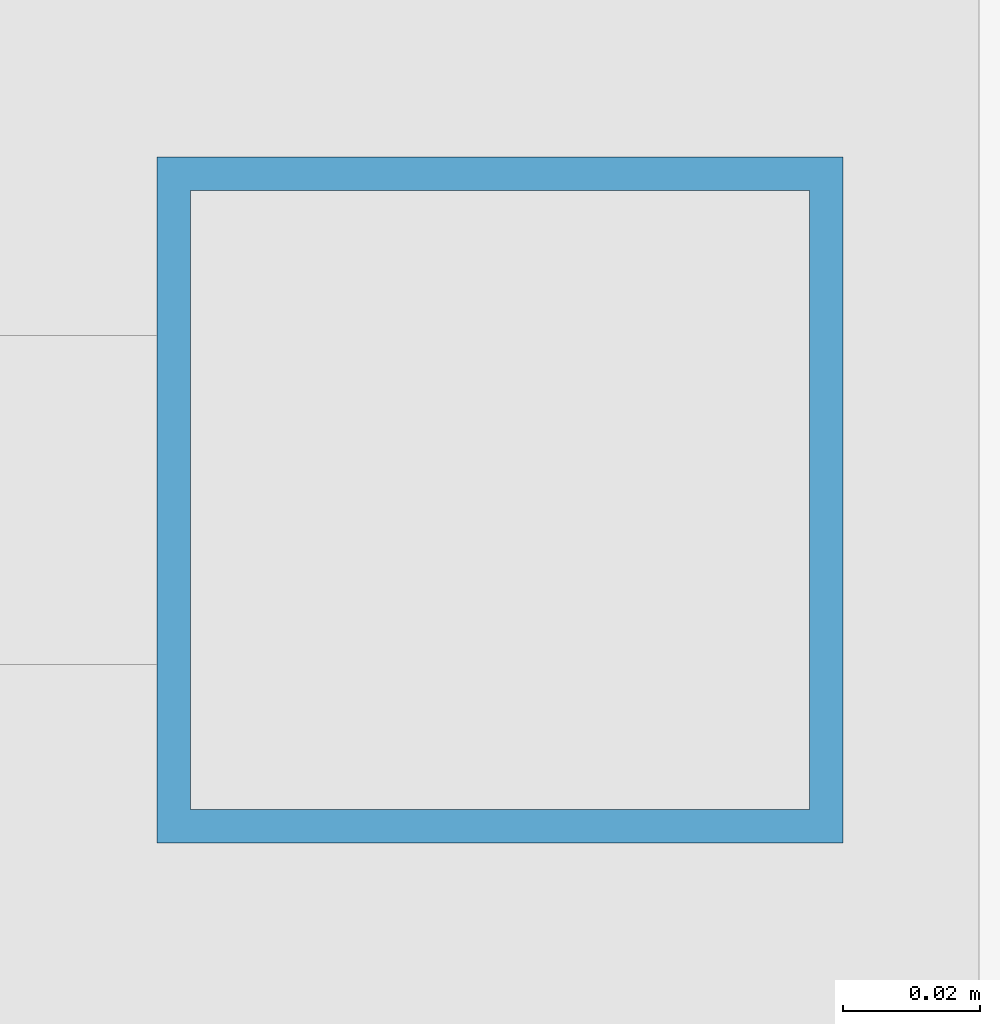
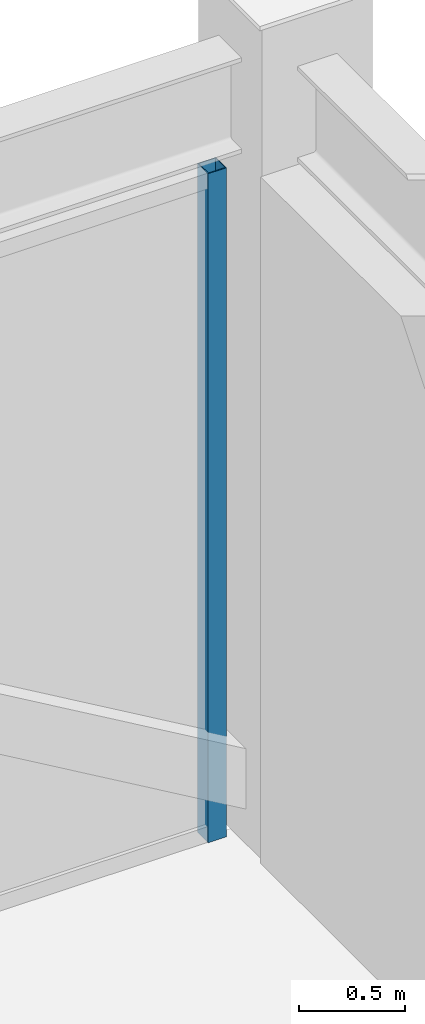
# One storey, part 22 of 27: 1 member, 1 element without a shape of its own.
"""IFC4 building model written with IfcOpenShell, lengths in metres."""

import ifcopenshell
import ifcopenshell.guid

model = None  # the IFC model being written
_history = None  # IfcOwnerHistory: only IFC2X3 demands one
_inside = {}  # id of a spatial element -> (the spatial element, [elements in it])
_under = {}  # id of a project, library or spatial element -> (it, [spatial elements below it])
_declared = {}  # id of a project -> (the project, [libraries it declares])
_typed = {}  # id of a type object -> (the type object, [elements of that type])
_made_of = {}  # id of a material, layer set ... -> (it, [elements and type objects made of it])


def new_model(schema):
    """Start an empty IFC model of exactly this schema.

    Asked for "IFC4X3", IfcOpenShell would pick the latest addendum, in which some entities
    have other attributes; the version numbers below select the first issue.
    IFC2X3 requires an IfcOwnerHistory on every rooted entity: one is made here for all.
    """
    global model, _history
    if schema == "IFC4X3":
        model = ifcopenshell.file(schema_version=(4, 3, 0, 0))
    else:
        model = ifcopenshell.file(schema=schema)
    _inside.clear()
    _under.clear()
    _declared.clear()
    _typed.clear()
    _made_of.clear()
    _history = None
    if model.schema == "IFC2X3":
        org = make("IfcOrganization", Name="unknown")
        user = make(
            "IfcPersonAndOrganization",
            ThePerson=make("IfcPerson", FamilyName="unknown"),
            TheOrganization=org,
        )
        app = make(
            "IfcApplication",
            ApplicationDeveloper=org,
            Version="unknown",
            ApplicationFullName="unknown",
            ApplicationIdentifier="unknown",
        )
        _history = make(
            "IfcOwnerHistory",
            OwningUser=user,
            OwningApplication=app,
            ChangeAction="ADDED",
            CreationDate=0,
        )
    return model


def make(cls, **values):
    """One entity of the class cls with the attributes given. An attribute that is None is left unset."""
    return model.create_entity(
        cls, **{name: value for name, value in values.items() if value is not None}
    )


def rooted(cls, **values):
    """An entity with a GlobalId (a new one), such as an element, a storey or a relation."""
    return make(cls, GlobalId=ifcopenshell.guid.new(), OwnerHistory=_history, **values)


def si_unit(unit_type, name, prefix=None):
    """IfcSIUnit, for example si_unit("LENGTHUNIT", "METRE", prefix="MILLI")."""
    return make("IfcSIUnit", UnitType=unit_type, Prefix=prefix, Name=name)


def assignment(units):
    """IfcUnitAssignment: the units of a project."""
    return None if units is None else make("IfcUnitAssignment", Units=units)


def point(xyz):
    """IfcCartesianPoint."""
    return None if xyz is None else make("IfcCartesianPoint", Coordinates=xyz)


def direction(xyz):
    """IfcDirection."""
    return None if xyz is None else make("IfcDirection", DirectionRatios=xyz)


def frame(location, z_axis=None, x_axis=None):
    """IfcAxis2Placement3D, a coordinate frame: its origin and axes. An axis left out is left unset."""
    return make(
        "IfcAxis2Placement3D",
        Location=point(location),
        Axis=direction(z_axis),
        RefDirection=direction(x_axis),
    )


def frame_2d(location, x_axis=None):
    """IfcAxis2Placement2D, a coordinate frame in the plane: its origin and x axis."""
    return make(
        "IfcAxis2Placement2D", Location=point(location), RefDirection=direction(x_axis)
    )


def origin():
    """The frame at (0, 0, 0) with its axes left unset."""
    return frame((0.0, 0.0, 0.0))


def origin_2d():
    """The frame at (0, 0) in the plane with its x axis left unset."""
    return frame_2d((0.0, 0.0))


def place(relative_to, where):
    """IfcLocalPlacement: puts the frame where relative to a parent placement (None: the world)."""
    return make(
        "IfcLocalPlacement", PlacementRelTo=relative_to, RelativePlacement=where
    )


def context(
    kind, dimensions, precision=None, world=None, true_north=None, identifier=None
):
    """IfcGeometricRepresentationContext, for example the 3D "Model" context."""
    return make(
        "IfcGeometricRepresentationContext",
        ContextIdentifier=identifier,
        ContextType=kind,
        CoordinateSpaceDimension=dimensions,
        Precision=precision,
        WorldCoordinateSystem=world,
        TrueNorth=true_north,
    )


def subcontext(parent, identifier, kind, view, scale=None):
    """IfcGeometricRepresentationSubContext, for example "Body" below "Model"."""
    return make(
        "IfcGeometricRepresentationSubContext",
        ContextIdentifier=identifier,
        ContextType=kind,
        ParentContext=parent,
        TargetScale=scale,
        TargetView=view,
    )


def project(units=None, contexts=None):
    """IfcProject with its units and contexts."""
    return rooted(
        "IfcProject",
        Name="project",
        RepresentationContexts=contexts,
        UnitsInContext=assignment(units),
    )


def spatial(cls, under=None, at=None, **own):
    """A site, building, storey or space (cls), placed at a placement, below another one or the project."""
    s = rooted(cls, ObjectPlacement=at, **own)
    if under is not None:
        _under.setdefault(under.id(), (under, []))[1].append(s)
    return s


def profile(cls, at=None, kind="AREA", **sizes):
    """A parametric profile (cls). Its sizes go by their IFC names, for example OverallWidth=200.0."""
    return make(cls, ProfileType=kind, Position=at, **sizes)


def hollow_rectangle(**sizes):
    """IfcRectangleHollowProfileDef."""
    return profile("IfcRectangleHollowProfileDef", **sizes)


def extrude(swept, where, along, depth):
    """IfcExtrudedAreaSolid: the profile swept, set in the frame where, extruded along a direction by depth."""
    return make(
        "IfcExtrudedAreaSolid",
        SweptArea=swept,
        Position=where,
        ExtrudedDirection=direction(along),
        Depth=depth,
    )


def shape(context_of_items, identifier, shape_type, items):
    """IfcShapeRepresentation: the items that make up one representation, for example the "Body"."""
    return make(
        "IfcShapeRepresentation",
        ContextOfItems=context_of_items,
        RepresentationIdentifier=identifier,
        RepresentationType=shape_type,
        Items=items,
    )


def source(mapping_origin, context_of_items, identifier, shape_type, items):
    """IfcRepresentationMap: a shape defined once, which mapped items show again and again."""
    return make(
        "IfcRepresentationMap",
        MappingOrigin=mapping_origin,
        MappedRepresentation=shape(context_of_items, identifier, shape_type, items),
    )


def transform(
    local_origin,
    x_axis=None,
    y_axis=None,
    z_axis=None,
    scale=None,
    scale2=None,
    scale3=None,
    uniform=True,
):
    """IfcCartesianTransformationOperator3D, or its non-uniform kind. x_axis, y_axis, z_axis: its Axis1, 2, 3."""
    if uniform:
        return make(
            "IfcCartesianTransformationOperator3D",
            Axis1=direction(x_axis),
            Axis2=direction(y_axis),
            LocalOrigin=point(local_origin),
            Scale=scale,
            Axis3=direction(z_axis),
        )
    return make(
        "IfcCartesianTransformationOperator3DnonUniform",
        Axis1=direction(x_axis),
        Axis2=direction(y_axis),
        LocalOrigin=point(local_origin),
        Scale=scale,
        Axis3=direction(z_axis),
        Scale2=scale2,
        Scale3=scale3,
    )


def mapped(mapping_source, mapping_target):
    """IfcMappedItem: shows the shape of a source again, moved by a transform."""
    return make(
        "IfcMappedItem", MappingSource=mapping_source, MappingTarget=mapping_target
    )


def material(Name=None, Category=None):
    """IfcMaterial."""
    return make("IfcMaterial", Name=Name, Category=Category)


def material_profile(
    of_material, cross_section, Name=None, Category=None, Priority=None
):
    """IfcMaterialProfile: a cross section and its material."""
    return make(
        "IfcMaterialProfile",
        Name=Name,
        Material=of_material,
        Profile=cross_section,
        Priority=Priority,
        Category=Category,
    )


def profile_set(profiles, Name=None, composite=None):
    """IfcMaterialProfileSet."""
    return make(
        "IfcMaterialProfileSet",
        Name=Name,
        MaterialProfiles=profiles,
        CompositeProfile=composite,
    )


def made_of(thing, what):
    """Note that an element or type object is made of a material, layer set ...; save() writes the relation."""
    if what is not None:
        _made_of.setdefault(what.id(), (what, []))[1].append(thing)
    return thing


def type_object(cls, material=None, **own):
    """A type object (cls), such as IfcWallType, which elements share."""
    return made_of(rooted(cls, **own), material)


def element(
    cls,
    number,
    at=None,
    inside=None,
    cuts=None,
    type_object=None,
    material=None,
    context=None,
    identifier="Body",
    shape_type=None,
    held_by="IfcProductDefinitionShape",
    body=None,
    shapes=None,
    **own,
):
    """One element of the class cls, such as IfcWall. Its Tag is "e" and its number.

    at: its placement. inside: the storey or other place that contains it. cuts: it is an
    opening in that element (IfcRelVoidsElement). A single representation is given by context,
    identifier, shape_type and body (its items); several are given by shapes. held_by: the class
    of the entity that holds the representations. save() writes the other relations.
    """
    e = rooted(cls, Tag="e%d" % number, ObjectPlacement=at, **own)
    if body is not None:
        shapes = [shape(context, identifier, shape_type, body)]
    if shapes is not None:
        e.Representation = make(held_by, Representations=shapes)
    if inside is not None:
        _inside.setdefault(inside.id(), (inside, []))[1].append(e)
    if cuts is not None:
        rooted(
            "IfcRelVoidsElement", RelatingBuildingElement=cuts, RelatedOpeningElement=e
        )
    if type_object is not None:
        _typed.setdefault(type_object.id(), (type_object, []))[1].append(e)
    return made_of(e, material)


def aggregate(whole, parts):
    """IfcRelAggregates: a whole, such as a stair, and the parts it consists of."""
    return rooted("IfcRelAggregates", RelatingObject=whole, RelatedObjects=parts)


def save(model, path):
    """Write the relations noted so far, then the file.

    IfcRelAggregates (storeys below a building ...), IfcRelContainedInSpatialStructure (elements
    in a storey), IfcRelDefinesByType, IfcRelAssociatesMaterial and IfcRelDeclares: one each for
    every whole, place, type object, material and project.
    """
    for whole, parts in _under.values():
        aggregate(whole, parts)
    for where, things in _inside.values():
        rooted(
            "IfcRelContainedInSpatialStructure",
            RelatedElements=things,
            RelatingStructure=where,
        )
    for kind, things in _typed.values():
        rooted("IfcRelDefinesByType", RelatedObjects=things, RelatingType=kind)
    for what, things in _made_of.values():
        rooted("IfcRelAssociatesMaterial", RelatedObjects=things, RelatingMaterial=what)
    for by, libraries in _declared.values():
        rooted("IfcRelDeclares", RelatingContext=by, RelatedDefinitions=libraries)
    model.write(path)


model = new_model("IFC4")

# Units and contexts
model_context = context("Model", 3, precision=1e-05, world=origin(), true_north=direction((0.0, 1.0)))
body_context = subcontext(model_context, "Body", "Model", "MODEL_VIEW")
ifc_project = project(units=[si_unit("LENGTHUNIT", "METRE"), si_unit("AREAUNIT", "SQUARE_METRE"), si_unit("VOLUMEUNIT", "CUBIC_METRE"), si_unit("PLANEANGLEUNIT", "RADIAN"), si_unit("MASSUNIT", "GRAM", prefix="KILO")], contexts=[model_context])

# Site, building, storey
site_placement = place(None, origin())
site = spatial("IfcSite", under=ifc_project, at=site_placement, CompositionType="ELEMENT")
building_placement = place(site_placement, origin())
building = spatial("IfcBuilding", under=site, at=building_placement, Name="Khorayat Bourse Tower", CompositionType="ELEMENT")
storey_placement = place(building_placement, frame((0.0, 0.0, 399.5)))
storey = spatial("IfcBuildingStorey", under=building, at=storey_placement, Name="L94", CompositionType="ELEMENT", Elevation=399.5)

# Curtain wall, member
ifc_material = material(Name="Aluminium EN AW-6063 T6", Category="aluminium")
curtain_wall_type = type_object("IfcCurtainWallType", Name="CW-SYS-07", PredefinedType="NOTDEFINED", material=ifc_material)
curtain_wall_placement = place(storey_placement, origin())
curtain_wall = element("IfcCurtainWall", 1, at=curtain_wall_placement, inside=storey, type_object=curtain_wall_type, Name="L94 Curtain Wall CW-L94-N1", PredefinedType="NOTDEFINED")
ifc_material_profile = material_profile(ifc_material, hollow_rectangle(XDim=0.10009765625, YDim=0.10009765625, WallThickness=0.0048828125, at=origin_2d()), Name="ALU 100x100x5")
ifc_profile_set = profile_set([ifc_material_profile], Name="Aluminium EN AW-6063 T6")
member_type = type_object("IfcMemberType", Name="CWM-LANTERN-100", PredefinedType="MULLION", material=ifc_profile_set)
shared_shape = source(origin(), body_context, "Body", "SweptSolid", [
    extrude(hollow_rectangle(XDim=0.10009765625, YDim=0.10009765625, WallThickness=0.0048828125, at=origin_2d()), origin(), (0.0, 0.0, 1.0), 3.85009765625),
])
member_placement = place(storey_placement, frame((17.60009765625, 24.0, 0.0), z_axis=(0.0, 0.0, 1.0), x_axis=(0.0, 1.0, 0.0)))
member = element("IfcMember", 2, at=member_placement, type_object=member_type, Name="CW-L94-N1 Vertical Mullion 3", PredefinedType="MULLION", context=body_context, shape_type="MappedRepresentation", body=[
    mapped(shared_shape, transform((0.0, 0.0, 0.0), scale=1.0)),
])
aggregate(curtain_wall, [member])

save(model, "model.ifc")
